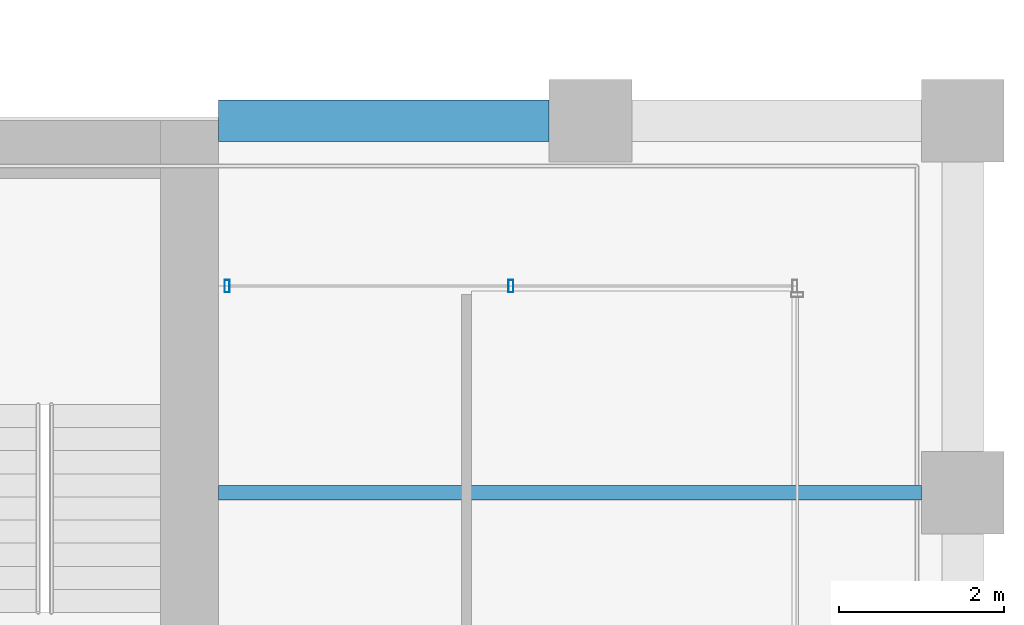
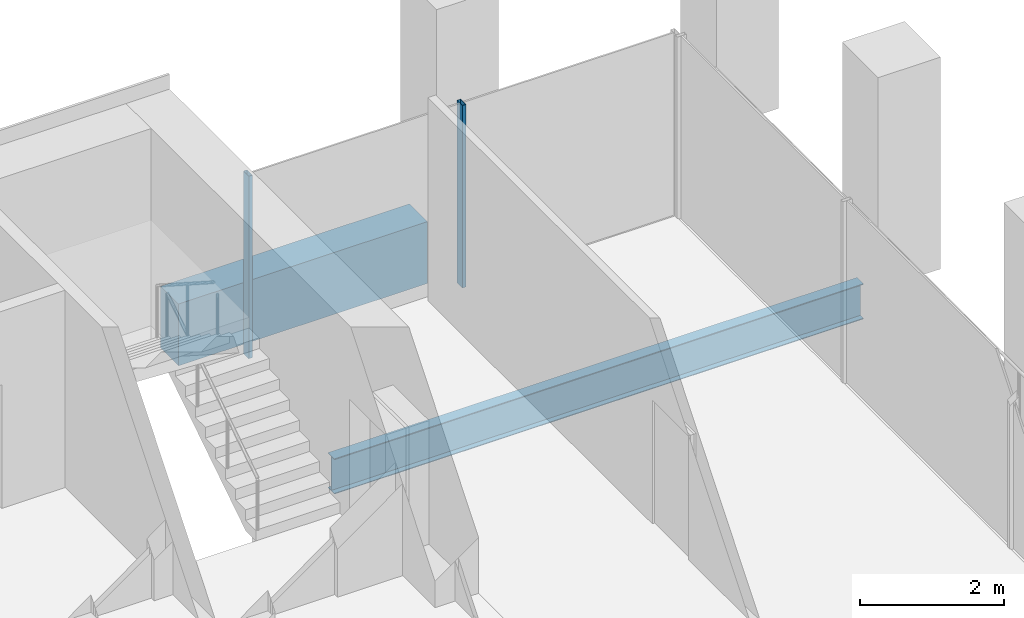
# One storey, part 36 of 46: 2 beams, 2 members, 1 element without a shape of its own.
"""IFC4 building model written with IfcOpenShell, lengths in metres."""

import ifcopenshell
import ifcopenshell.guid

model = None  # the IFC model being written
_history = None  # IfcOwnerHistory: only IFC2X3 demands one
_inside = {}  # id of a spatial element -> (the spatial element, [elements in it])
_under = {}  # id of a project, library or spatial element -> (it, [spatial elements below it])
_declared = {}  # id of a project -> (the project, [libraries it declares])
_typed = {}  # id of a type object -> (the type object, [elements of that type])
_made_of = {}  # id of a material, layer set ... -> (it, [elements and type objects made of it])


def new_model(schema):
    """Start an empty IFC model of exactly this schema.

    Asked for "IFC4X3", IfcOpenShell would pick the latest addendum, in which some entities
    have other attributes; the version numbers below select the first issue.
    IFC2X3 requires an IfcOwnerHistory on every rooted entity: one is made here for all.
    """
    global model, _history
    if schema == "IFC4X3":
        model = ifcopenshell.file(schema_version=(4, 3, 0, 0))
    else:
        model = ifcopenshell.file(schema=schema)
    _inside.clear()
    _under.clear()
    _declared.clear()
    _typed.clear()
    _made_of.clear()
    _history = None
    if model.schema == "IFC2X3":
        org = make("IfcOrganization", Name="unknown")
        user = make(
            "IfcPersonAndOrganization",
            ThePerson=make("IfcPerson", FamilyName="unknown"),
            TheOrganization=org,
        )
        app = make(
            "IfcApplication",
            ApplicationDeveloper=org,
            Version="unknown",
            ApplicationFullName="unknown",
            ApplicationIdentifier="unknown",
        )
        _history = make(
            "IfcOwnerHistory",
            OwningUser=user,
            OwningApplication=app,
            ChangeAction="ADDED",
            CreationDate=0,
        )
    return model


def make(cls, **values):
    """One entity of the class cls with the attributes given. An attribute that is None is left unset."""
    return model.create_entity(
        cls, **{name: value for name, value in values.items() if value is not None}
    )


def rooted(cls, **values):
    """An entity with a GlobalId (a new one), such as an element, a storey or a relation."""
    return make(cls, GlobalId=ifcopenshell.guid.new(), OwnerHistory=_history, **values)


def si_unit(unit_type, name, prefix=None):
    """IfcSIUnit, for example si_unit("LENGTHUNIT", "METRE", prefix="MILLI")."""
    return make("IfcSIUnit", UnitType=unit_type, Prefix=prefix, Name=name)


def assignment(units):
    """IfcUnitAssignment: the units of a project."""
    return None if units is None else make("IfcUnitAssignment", Units=units)


def point(xyz):
    """IfcCartesianPoint."""
    return None if xyz is None else make("IfcCartesianPoint", Coordinates=xyz)


def direction(xyz):
    """IfcDirection."""
    return None if xyz is None else make("IfcDirection", DirectionRatios=xyz)


def frame(location, z_axis=None, x_axis=None):
    """IfcAxis2Placement3D, a coordinate frame: its origin and axes. An axis left out is left unset."""
    return make(
        "IfcAxis2Placement3D",
        Location=point(location),
        Axis=direction(z_axis),
        RefDirection=direction(x_axis),
    )


def frame_2d(location, x_axis=None):
    """IfcAxis2Placement2D, a coordinate frame in the plane: its origin and x axis."""
    return make(
        "IfcAxis2Placement2D", Location=point(location), RefDirection=direction(x_axis)
    )


def origin():
    """The frame at (0, 0, 0) with its axes left unset."""
    return frame((0.0, 0.0, 0.0))


def origin_2d():
    """The frame at (0, 0) in the plane with its x axis left unset."""
    return frame_2d((0.0, 0.0))


def place(relative_to, where):
    """IfcLocalPlacement: puts the frame where relative to a parent placement (None: the world)."""
    return make(
        "IfcLocalPlacement", PlacementRelTo=relative_to, RelativePlacement=where
    )


def context(
    kind, dimensions, precision=None, world=None, true_north=None, identifier=None
):
    """IfcGeometricRepresentationContext, for example the 3D "Model" context."""
    return make(
        "IfcGeometricRepresentationContext",
        ContextIdentifier=identifier,
        ContextType=kind,
        CoordinateSpaceDimension=dimensions,
        Precision=precision,
        WorldCoordinateSystem=world,
        TrueNorth=true_north,
    )


def subcontext(parent, identifier, kind, view, scale=None):
    """IfcGeometricRepresentationSubContext, for example "Body" below "Model"."""
    return make(
        "IfcGeometricRepresentationSubContext",
        ContextIdentifier=identifier,
        ContextType=kind,
        ParentContext=parent,
        TargetScale=scale,
        TargetView=view,
    )


def project(units=None, contexts=None):
    """IfcProject with its units and contexts."""
    return rooted(
        "IfcProject",
        Name="project",
        RepresentationContexts=contexts,
        UnitsInContext=assignment(units),
    )


def spatial(cls, under=None, at=None, **own):
    """A site, building, storey or space (cls), placed at a placement, below another one or the project."""
    s = rooted(cls, ObjectPlacement=at, **own)
    if under is not None:
        _under.setdefault(under.id(), (under, []))[1].append(s)
    return s


def profile(cls, at=None, kind="AREA", **sizes):
    """A parametric profile (cls). Its sizes go by their IFC names, for example OverallWidth=200.0."""
    return make(cls, ProfileType=kind, Position=at, **sizes)


def rectangle(**sizes):
    """IfcRectangleProfileDef."""
    return profile("IfcRectangleProfileDef", **sizes)


def hollow_rectangle(**sizes):
    """IfcRectangleHollowProfileDef."""
    return profile("IfcRectangleHollowProfileDef", **sizes)


def i_section(**sizes):
    """IfcIShapeProfileDef."""
    return profile("IfcIShapeProfileDef", **sizes)


def extrude(swept, where, along, depth):
    """IfcExtrudedAreaSolid: the profile swept, set in the frame where, extruded along a direction by depth."""
    return make(
        "IfcExtrudedAreaSolid",
        SweptArea=swept,
        Position=where,
        ExtrudedDirection=direction(along),
        Depth=depth,
    )


def shape(context_of_items, identifier, shape_type, items):
    """IfcShapeRepresentation: the items that make up one representation, for example the "Body"."""
    return make(
        "IfcShapeRepresentation",
        ContextOfItems=context_of_items,
        RepresentationIdentifier=identifier,
        RepresentationType=shape_type,
        Items=items,
    )


def material(Name=None, Category=None):
    """IfcMaterial."""
    return make("IfcMaterial", Name=Name, Category=Category)


def material_profile(
    of_material, cross_section, Name=None, Category=None, Priority=None
):
    """IfcMaterialProfile: a cross section and its material."""
    return make(
        "IfcMaterialProfile",
        Name=Name,
        Material=of_material,
        Profile=cross_section,
        Priority=Priority,
        Category=Category,
    )


def profile_set(profiles, Name=None, composite=None):
    """IfcMaterialProfileSet."""
    return make(
        "IfcMaterialProfileSet",
        Name=Name,
        MaterialProfiles=profiles,
        CompositeProfile=composite,
    )


def made_of(thing, what):
    """Note that an element or type object is made of a material, layer set ...; save() writes the relation."""
    if what is not None:
        _made_of.setdefault(what.id(), (what, []))[1].append(thing)
    return thing


def type_object(cls, material=None, **own):
    """A type object (cls), such as IfcWallType, which elements share."""
    return made_of(rooted(cls, **own), material)


def element(
    cls,
    number,
    at=None,
    inside=None,
    cuts=None,
    type_object=None,
    material=None,
    context=None,
    identifier="Body",
    shape_type=None,
    held_by="IfcProductDefinitionShape",
    body=None,
    shapes=None,
    **own,
):
    """One element of the class cls, such as IfcWall. Its Tag is "e" and its number.

    at: its placement. inside: the storey or other place that contains it. cuts: it is an
    opening in that element (IfcRelVoidsElement). A single representation is given by context,
    identifier, shape_type and body (its items); several are given by shapes. held_by: the class
    of the entity that holds the representations. save() writes the other relations.
    """
    e = rooted(cls, Tag="e%d" % number, ObjectPlacement=at, **own)
    if body is not None:
        shapes = [shape(context, identifier, shape_type, body)]
    if shapes is not None:
        e.Representation = make(held_by, Representations=shapes)
    if inside is not None:
        _inside.setdefault(inside.id(), (inside, []))[1].append(e)
    if cuts is not None:
        rooted(
            "IfcRelVoidsElement", RelatingBuildingElement=cuts, RelatedOpeningElement=e
        )
    if type_object is not None:
        _typed.setdefault(type_object.id(), (type_object, []))[1].append(e)
    return made_of(e, material)


def aggregate(whole, parts):
    """IfcRelAggregates: a whole, such as a stair, and the parts it consists of."""
    return rooted("IfcRelAggregates", RelatingObject=whole, RelatedObjects=parts)


def save(model, path):
    """Write the relations noted so far, then the file.

    IfcRelAggregates (storeys below a building ...), IfcRelContainedInSpatialStructure (elements
    in a storey), IfcRelDefinesByType, IfcRelAssociatesMaterial and IfcRelDeclares: one each for
    every whole, place, type object, material and project.
    """
    for whole, parts in _under.values():
        aggregate(whole, parts)
    for where, things in _inside.values():
        rooted(
            "IfcRelContainedInSpatialStructure",
            RelatedElements=things,
            RelatingStructure=where,
        )
    for kind, things in _typed.values():
        rooted("IfcRelDefinesByType", RelatedObjects=things, RelatingType=kind)
    for what, things in _made_of.values():
        rooted("IfcRelAssociatesMaterial", RelatedObjects=things, RelatingMaterial=what)
    for by, libraries in _declared.values():
        rooted("IfcRelDeclares", RelatingContext=by, RelatedDefinitions=libraries)
    model.write(path)


model = new_model("IFC4")

# Units and contexts
model_context = context("Model", 3, precision=1e-05, world=origin(), true_north=direction((0.0, 1.0)))
body_context = subcontext(model_context, "Body", "Model", "MODEL_VIEW")
ifc_project = project(units=[si_unit("LENGTHUNIT", "METRE"), si_unit("AREAUNIT", "SQUARE_METRE"), si_unit("VOLUMEUNIT", "CUBIC_METRE"), si_unit("PLANEANGLEUNIT", "RADIAN"), si_unit("MASSUNIT", "GRAM", prefix="KILO")], contexts=[model_context])

# Site, building, storey
site_placement = place(None, origin())
site = spatial("IfcSite", under=ifc_project, at=site_placement, CompositionType="ELEMENT")
building_placement = place(site_placement, origin())
building = spatial("IfcBuilding", under=site, at=building_placement, Name="Altepetl Exchange Towers", CompositionType="ELEMENT")
storey_placement = place(building_placement, frame((0.0, 0.0, 106.39990234375)))
storey = spatial("IfcBuildingStorey", under=building, at=storey_placement, Name="L26", CompositionType="ELEMENT", Elevation=106.39990234375)

# Beam
ifc_material_1 = material(Name="Steel S355", Category="steel")
ifc_material_profile_1 = material_profile(ifc_material_1, i_section(OverallWidth=0.177978515625, OverallDepth=0.59912109375, WebThickness=0.010009765625, FlangeThickness=0.0126953125, at=origin_2d()), Name="W24X55")
ifc_profile_set_1 = profile_set([ifc_material_profile_1], Name="Steel S355")
beam_type_1 = type_object("IfcBeamType", Name="Floor beam W24X55", PredefinedType="BEAM", material=ifc_profile_set_1)
beam_1_placement = place(storey_placement, frame((117.0, 45.0, -0.449462890625), z_axis=(1.0, 0.0, 0.0), x_axis=(0.0, 1.0, 0.0)))
element("IfcBeam", 1, at=beam_1_placement, inside=storey, type_object=beam_type_1, Name="bm:B:L26:003", PredefinedType="BEAM", context=body_context, shape_type="SweptSolid", body=[
    extrude(i_section(OverallWidth=0.177978515625, OverallDepth=0.59912109375, WebThickness=0.010009765625, FlangeThickness=0.0126953125, at=origin_2d()), origin(), (0.0, 0.0, 1.0), 8.5),
])

# Curtain wall, members
ifc_material_2 = material(Name="Aluminium 6063-T6 glazing", Category="aluminium")
curtain_wall_type = type_object("IfcCurtainWallType", Name="Loggia glazing system", PredefinedType="NOTDEFINED", material=ifc_material_2)
curtain_wall_placement = place(storey_placement, origin())
curtain_wall = element("IfcCurtainWall", 2, at=curtain_wall_placement, inside=storey, type_object=curtain_wall_type, Name="CW1 run", PredefinedType="NOTDEFINED")
ifc_material_3 = material(Name="Aluminium 6063-T6", Category="aluminium")
ifc_material_profile_2 = material_profile(ifc_material_3, hollow_rectangle(XDim=0.06005859375, YDim=0.14990234375, WallThickness=0.0029296875, at=origin_2d()), Name="Mullion 60x150 aluminium")
ifc_profile_set_2 = profile_set([ifc_material_profile_2], Name="Aluminium 6063-T6")
member_type = type_object("IfcMemberType", Name="Mullion 60x150 aluminium", PredefinedType="MULLION", material=ifc_profile_set_2)
member_1_placement = place(storey_placement, frame((120.53759765625, 47.5, 0.0), z_axis=(0.0, 0.0, 1.0), x_axis=(-1.0, 0.0, 0.0)))
member_1 = element("IfcMember", 3, at=member_1_placement, type_object=member_type, Name="MU1 mullion", PredefinedType="MULLION", context=body_context, shape_type="SweptSolid", body=[
    extrude(hollow_rectangle(XDim=0.06005859375, YDim=0.14990234375, WallThickness=0.0029296875, at=origin_2d()), origin(), (0.0, 0.0, 1.0), 3.10009765625),
])
member_2_placement = place(storey_placement, frame((117.10498046875, 47.5, 0.0), z_axis=(0.0, 0.0, 1.0), x_axis=(-1.0, 0.0, 0.0)))
member_2 = element("IfcMember", 4, at=member_2_placement, type_object=member_type, Name="MU1 mullion", PredefinedType="MULLION", context=body_context, shape_type="SweptSolid", body=[
    extrude(hollow_rectangle(XDim=0.06005859375, YDim=0.14990234375, WallThickness=0.0029296875, at=origin_2d()), origin(), (0.0, 0.0, 1.0), 3.10009765625),
])
aggregate(curtain_wall, [member_1, member_2])

# Beam
ifc_material_4 = material(Name="Concrete C50/60 precast with cantera amarilla facing", Category="concrete")
ifc_material_profile_3 = material_profile(ifc_material_4, rectangle(XDim=0.5, YDim=1.050048828125, at=origin_2d()), Name="500 x 1050")
ifc_profile_set_3 = profile_set([ifc_material_profile_3], Name="Concrete C50/60 precast with cantera amarilla facing")
beam_type_2 = type_object("IfcBeamType", Name="Spandrel beam 500x1050 cantera amarilla", PredefinedType="SPANDREL", material=ifc_profile_set_3)
beam_2_placement = place(storey_placement, frame((121.0, 49.5, -0.6748046875), z_axis=(-1.0, 0.0, 0.0), x_axis=(0.0, -1.0, 0.0)))
element("IfcBeam", 5, at=beam_2_placement, inside=storey, type_object=beam_type_2, Name="sp:B:L26:014", PredefinedType="SPANDREL", context=body_context, shape_type="SweptSolid", body=[
    extrude(rectangle(XDim=0.5, YDim=1.050048828125, at=origin_2d()), origin(), (0.0, 0.0, 1.0), 4.0),
])

save(model, "model.ifc")
